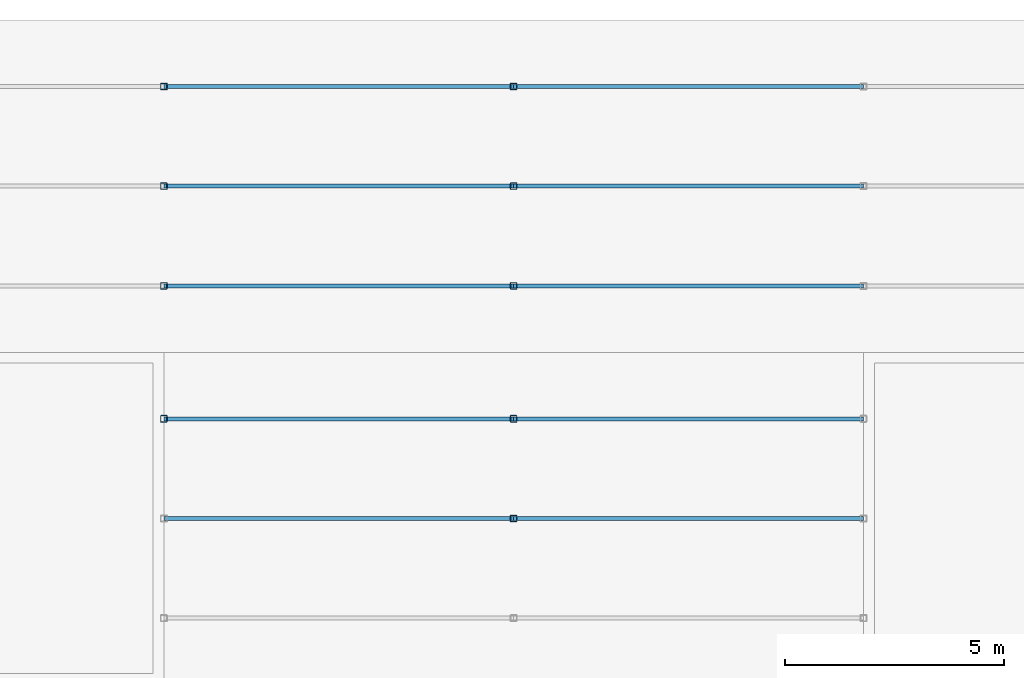
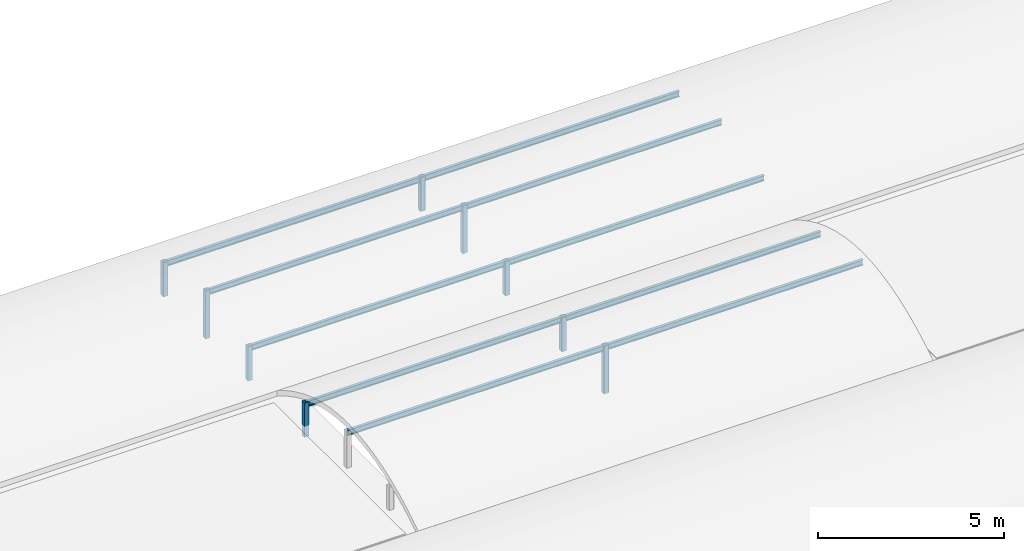
# One storey, part 4 of 8: 19 members.
"""IFC4 building model written with IfcOpenShell, lengths in metres."""

import ifcopenshell
import ifcopenshell.guid

model = None  # the IFC model being written
_history = None  # IfcOwnerHistory: only IFC2X3 demands one
_inside = {}  # id of a spatial element -> (the spatial element, [elements in it])
_under = {}  # id of a project, library or spatial element -> (it, [spatial elements below it])
_declared = {}  # id of a project -> (the project, [libraries it declares])
_typed = {}  # id of a type object -> (the type object, [elements of that type])
_made_of = {}  # id of a material, layer set ... -> (it, [elements and type objects made of it])


def new_model(schema):
    """Start an empty IFC model of exactly this schema.

    Asked for "IFC4X3", IfcOpenShell would pick the latest addendum, in which some entities
    have other attributes; the version numbers below select the first issue.
    IFC2X3 requires an IfcOwnerHistory on every rooted entity: one is made here for all.
    """
    global model, _history
    if schema == "IFC4X3":
        model = ifcopenshell.file(schema_version=(4, 3, 0, 0))
    else:
        model = ifcopenshell.file(schema=schema)
    _inside.clear()
    _under.clear()
    _declared.clear()
    _typed.clear()
    _made_of.clear()
    _history = None
    if model.schema == "IFC2X3":
        org = make("IfcOrganization", Name="unknown")
        user = make(
            "IfcPersonAndOrganization",
            ThePerson=make("IfcPerson", FamilyName="unknown"),
            TheOrganization=org,
        )
        app = make(
            "IfcApplication",
            ApplicationDeveloper=org,
            Version="unknown",
            ApplicationFullName="unknown",
            ApplicationIdentifier="unknown",
        )
        _history = make(
            "IfcOwnerHistory",
            OwningUser=user,
            OwningApplication=app,
            ChangeAction="ADDED",
            CreationDate=0,
        )
    return model


def make(cls, **values):
    """One entity of the class cls with the attributes given. An attribute that is None is left unset."""
    return model.create_entity(
        cls, **{name: value for name, value in values.items() if value is not None}
    )


def rooted(cls, **values):
    """An entity with a GlobalId (a new one), such as an element, a storey or a relation."""
    return make(cls, GlobalId=ifcopenshell.guid.new(), OwnerHistory=_history, **values)


def si_unit(unit_type, name, prefix=None):
    """IfcSIUnit, for example si_unit("LENGTHUNIT", "METRE", prefix="MILLI")."""
    return make("IfcSIUnit", UnitType=unit_type, Prefix=prefix, Name=name)


def assignment(units):
    """IfcUnitAssignment: the units of a project."""
    return None if units is None else make("IfcUnitAssignment", Units=units)


def point(xyz):
    """IfcCartesianPoint."""
    return None if xyz is None else make("IfcCartesianPoint", Coordinates=xyz)


def direction(xyz):
    """IfcDirection."""
    return None if xyz is None else make("IfcDirection", DirectionRatios=xyz)


def frame(location, z_axis=None, x_axis=None):
    """IfcAxis2Placement3D, a coordinate frame: its origin and axes. An axis left out is left unset."""
    return make(
        "IfcAxis2Placement3D",
        Location=point(location),
        Axis=direction(z_axis),
        RefDirection=direction(x_axis),
    )


def frame_2d(location, x_axis=None):
    """IfcAxis2Placement2D, a coordinate frame in the plane: its origin and x axis."""
    return make(
        "IfcAxis2Placement2D", Location=point(location), RefDirection=direction(x_axis)
    )


def origin():
    """The frame at (0, 0, 0) with its axes left unset."""
    return frame((0.0, 0.0, 0.0))


def origin_2d():
    """The frame at (0, 0) in the plane with its x axis left unset."""
    return frame_2d((0.0, 0.0))


def place(relative_to, where):
    """IfcLocalPlacement: puts the frame where relative to a parent placement (None: the world)."""
    return make(
        "IfcLocalPlacement", PlacementRelTo=relative_to, RelativePlacement=where
    )


def context(
    kind, dimensions, precision=None, world=None, true_north=None, identifier=None
):
    """IfcGeometricRepresentationContext, for example the 3D "Model" context."""
    return make(
        "IfcGeometricRepresentationContext",
        ContextIdentifier=identifier,
        ContextType=kind,
        CoordinateSpaceDimension=dimensions,
        Precision=precision,
        WorldCoordinateSystem=world,
        TrueNorth=true_north,
    )


def subcontext(parent, identifier, kind, view, scale=None):
    """IfcGeometricRepresentationSubContext, for example "Body" below "Model"."""
    return make(
        "IfcGeometricRepresentationSubContext",
        ContextIdentifier=identifier,
        ContextType=kind,
        ParentContext=parent,
        TargetScale=scale,
        TargetView=view,
    )


def project(units=None, contexts=None):
    """IfcProject with its units and contexts."""
    return rooted(
        "IfcProject",
        Name="project",
        RepresentationContexts=contexts,
        UnitsInContext=assignment(units),
    )


def spatial(cls, under=None, at=None, **own):
    """A site, building, storey or space (cls), placed at a placement, below another one or the project."""
    s = rooted(cls, ObjectPlacement=at, **own)
    if under is not None:
        _under.setdefault(under.id(), (under, []))[1].append(s)
    return s


def profile(cls, at=None, kind="AREA", **sizes):
    """A parametric profile (cls). Its sizes go by their IFC names, for example OverallWidth=200.0."""
    return make(cls, ProfileType=kind, Position=at, **sizes)


def hollow_rectangle(**sizes):
    """IfcRectangleHollowProfileDef."""
    return profile("IfcRectangleHollowProfileDef", **sizes)


def i_section(**sizes):
    """IfcIShapeProfileDef."""
    return profile("IfcIShapeProfileDef", **sizes)


def extrude(swept, where, along, depth):
    """IfcExtrudedAreaSolid: the profile swept, set in the frame where, extruded along a direction by depth."""
    return make(
        "IfcExtrudedAreaSolid",
        SweptArea=swept,
        Position=where,
        ExtrudedDirection=direction(along),
        Depth=depth,
    )


def shape(context_of_items, identifier, shape_type, items):
    """IfcShapeRepresentation: the items that make up one representation, for example the "Body"."""
    return make(
        "IfcShapeRepresentation",
        ContextOfItems=context_of_items,
        RepresentationIdentifier=identifier,
        RepresentationType=shape_type,
        Items=items,
    )


def material(Name=None, Category=None):
    """IfcMaterial."""
    return make("IfcMaterial", Name=Name, Category=Category)


def material_profile(
    of_material, cross_section, Name=None, Category=None, Priority=None
):
    """IfcMaterialProfile: a cross section and its material."""
    return make(
        "IfcMaterialProfile",
        Name=Name,
        Material=of_material,
        Profile=cross_section,
        Priority=Priority,
        Category=Category,
    )


def profile_set(profiles, Name=None, composite=None):
    """IfcMaterialProfileSet."""
    return make(
        "IfcMaterialProfileSet",
        Name=Name,
        MaterialProfiles=profiles,
        CompositeProfile=composite,
    )


def made_of(thing, what):
    """Note that an element or type object is made of a material, layer set ...; save() writes the relation."""
    if what is not None:
        _made_of.setdefault(what.id(), (what, []))[1].append(thing)
    return thing


def type_object(cls, material=None, **own):
    """A type object (cls), such as IfcWallType, which elements share."""
    return made_of(rooted(cls, **own), material)


def element(
    cls,
    number,
    at=None,
    inside=None,
    cuts=None,
    type_object=None,
    material=None,
    context=None,
    identifier="Body",
    shape_type=None,
    held_by="IfcProductDefinitionShape",
    body=None,
    shapes=None,
    **own,
):
    """One element of the class cls, such as IfcWall. Its Tag is "e" and its number.

    at: its placement. inside: the storey or other place that contains it. cuts: it is an
    opening in that element (IfcRelVoidsElement). A single representation is given by context,
    identifier, shape_type and body (its items); several are given by shapes. held_by: the class
    of the entity that holds the representations. save() writes the other relations.
    """
    e = rooted(cls, Tag="e%d" % number, ObjectPlacement=at, **own)
    if body is not None:
        shapes = [shape(context, identifier, shape_type, body)]
    if shapes is not None:
        e.Representation = make(held_by, Representations=shapes)
    if inside is not None:
        _inside.setdefault(inside.id(), (inside, []))[1].append(e)
    if cuts is not None:
        rooted(
            "IfcRelVoidsElement", RelatingBuildingElement=cuts, RelatedOpeningElement=e
        )
    if type_object is not None:
        _typed.setdefault(type_object.id(), (type_object, []))[1].append(e)
    return made_of(e, material)


def aggregate(whole, parts):
    """IfcRelAggregates: a whole, such as a stair, and the parts it consists of."""
    return rooted("IfcRelAggregates", RelatingObject=whole, RelatedObjects=parts)


def save(model, path):
    """Write the relations noted so far, then the file.

    IfcRelAggregates (storeys below a building ...), IfcRelContainedInSpatialStructure (elements
    in a storey), IfcRelDefinesByType, IfcRelAssociatesMaterial and IfcRelDeclares: one each for
    every whole, place, type object, material and project.
    """
    for whole, parts in _under.values():
        aggregate(whole, parts)
    for where, things in _inside.values():
        rooted(
            "IfcRelContainedInSpatialStructure",
            RelatedElements=things,
            RelatingStructure=where,
        )
    for kind, things in _typed.values():
        rooted("IfcRelDefinesByType", RelatedObjects=things, RelatingType=kind)
    for what, things in _made_of.values():
        rooted("IfcRelAssociatesMaterial", RelatedObjects=things, RelatingMaterial=what)
    for by, libraries in _declared.values():
        rooted("IfcRelDeclares", RelatingContext=by, RelatedDefinitions=libraries)
    model.write(path)


model = new_model("IFC4")

# Units and contexts
model_context = context("Model", 3, precision=1e-05, world=origin(), true_north=direction((0.0, 1.0)))
body_context = subcontext(model_context, "Body", "Model", "MODEL_VIEW")
ifc_project = project(units=[si_unit("LENGTHUNIT", "METRE"), si_unit("AREAUNIT", "SQUARE_METRE"), si_unit("VOLUMEUNIT", "CUBIC_METRE"), si_unit("PLANEANGLEUNIT", "RADIAN"), si_unit("MASSUNIT", "GRAM", prefix="KILO")], contexts=[model_context])

# Site, building, storey
site_placement = place(None, origin())
site = spatial("IfcSite", under=ifc_project, at=site_placement, CompositionType="ELEMENT")
building_placement = place(site_placement, origin())
building = spatial("IfcBuilding", under=site, at=building_placement, Name="Shalkamar Park Central Library", CompositionType="ELEMENT")
storey_placement = place(building_placement, frame((0.0, 0.0, 77.699951171875)))
storey = spatial("IfcBuildingStorey", under=building, at=storey_placement, Name="ROOF", CompositionType="ELEMENT", Elevation=77.699951171875)

# Members
ifc_material = material(Name="Steel S355", Category="steel")
ifc_material_profile_1 = material_profile(ifc_material, hollow_rectangle(XDim=0.14990234375, YDim=0.14990234375, WallThickness=0.008056640625, InnerFilletRadius=0.008056640625, OuterFilletRadius=0.011962890625, at=origin_2d()), Name="SHS 150x150x8")
ifc_profile_set_1 = profile_set([ifc_material_profile_1], Name="Steel S355")
member_type_1 = type_object("IfcMemberType", Name="Diagonal Brace SHS150", PredefinedType="BRACE", material=ifc_profile_set_1)
member_1_placement = place(storey_placement, frame((181.0, 268.8798828125, -0.35986328125), z_axis=(0.0, 0.0, 1.0), x_axis=(1.0, 0.0, 0.0)))
element("IfcMember", 1, at=member_1_placement, inside=storey, type_object=member_type_1, Name="Vault Arch Post BV-L18-2-09.3", PredefinedType="BRACE", context=body_context, shape_type="SweptSolid", body=[
    extrude(hollow_rectangle(XDim=0.14990234375, YDim=0.14990234375, WallThickness=0.008056640625, InnerFilletRadius=0.008056640625, OuterFilletRadius=0.011962890625, at=origin_2d()), origin(), (0.0, 0.0, 1.0), 1.119873046875),
])
member_2_placement = place(storey_placement, frame((189.0, 266.60009765625, -0.35986328125), z_axis=(0.0, 0.0, 1.0), x_axis=(1.0, 0.0, 0.0)))
element("IfcMember", 2, at=member_2_placement, inside=storey, type_object=member_type_1, Name="Vault Arch Post BV-L18-2-10.2", PredefinedType="BRACE", context=body_context, shape_type="SweptSolid", body=[
    extrude(hollow_rectangle(XDim=0.14990234375, YDim=0.14990234375, WallThickness=0.008056640625, InnerFilletRadius=0.008056640625, OuterFilletRadius=0.011962890625, at=origin_2d()), origin(), (0.0, 0.0, 1.0), 1.56982421875),
])
for number, where, z_axis, x_axis, name in (
    (3, (189.0, 268.8798828125, -0.35986328125), (0.0, 0.0, 1.0), (1.0, 0.0, 0.0), "Vault Arch Post BV-L18-2-10.3"),
    (4, (181.0, 271.919921875, -0.35986328125), (0.0, 0.0, 1.0), (1.0, 0.0, 0.0), "Vault Arch Post BV-L18-3-09.1"),
):
    element("IfcMember", number, at=place(storey_placement, frame(where, z_axis=z_axis, x_axis=x_axis)), inside=storey, type_object=member_type_1, Name=name, PredefinedType="BRACE", context=body_context, shape_type="SweptSolid", body=[
        extrude(hollow_rectangle(XDim=0.14990234375, YDim=0.14990234375, WallThickness=0.008056640625, InnerFilletRadius=0.008056640625, OuterFilletRadius=0.011962890625, at=origin_2d()), origin(), (0.0, 0.0, 1.0), 1.119873046875),
    ])
member_3_placement = place(storey_placement, frame((181.0, 274.199951171875, -0.35986328125), z_axis=(0.0, 0.0, 1.0), x_axis=(1.0, 0.0, 0.0)))
element("IfcMember", 5, at=member_3_placement, inside=storey, type_object=member_type_1, Name="Vault Arch Post BV-L18-3-09.2", PredefinedType="BRACE", context=body_context, shape_type="SweptSolid", body=[
    extrude(hollow_rectangle(XDim=0.14990234375, YDim=0.14990234375, WallThickness=0.008056640625, InnerFilletRadius=0.008056640625, OuterFilletRadius=0.011962890625, at=origin_2d()), origin(), (0.0, 0.0, 1.0), 1.56982421875),
])
for number, where, z_axis, x_axis, name in (
    (6, (181.0, 276.47998046875, -0.35986328125), (0.0, 0.0, 1.0), (1.0, 0.0, 0.0), "Vault Arch Post BV-L18-3-09.3"),
    (7, (189.0, 271.919921875, -0.35986328125), (0.0, 0.0, 1.0), (1.0, 0.0, 0.0), "Vault Arch Post BV-L18-3-10.1"),
):
    element("IfcMember", number, at=place(storey_placement, frame(where, z_axis=z_axis, x_axis=x_axis)), inside=storey, type_object=member_type_1, Name=name, PredefinedType="BRACE", context=body_context, shape_type="SweptSolid", body=[
        extrude(hollow_rectangle(XDim=0.14990234375, YDim=0.14990234375, WallThickness=0.008056640625, InnerFilletRadius=0.008056640625, OuterFilletRadius=0.011962890625, at=origin_2d()), origin(), (0.0, 0.0, 1.0), 1.119873046875),
    ])
member_4_placement = place(storey_placement, frame((189.0, 274.199951171875, -0.35986328125), z_axis=(0.0, 0.0, 1.0), x_axis=(1.0, 0.0, 0.0)))
element("IfcMember", 8, at=member_4_placement, inside=storey, type_object=member_type_1, Name="Vault Arch Post BV-L18-3-10.2", PredefinedType="BRACE", context=body_context, shape_type="SweptSolid", body=[
    extrude(hollow_rectangle(XDim=0.14990234375, YDim=0.14990234375, WallThickness=0.008056640625, InnerFilletRadius=0.008056640625, OuterFilletRadius=0.011962890625, at=origin_2d()), origin(), (0.0, 0.0, 1.0), 1.56982421875),
])
member_5_placement = place(storey_placement, frame((189.0, 276.47998046875, -0.35986328125), z_axis=(0.0, 0.0, 1.0), x_axis=(1.0, 0.0, 0.0)))
element("IfcMember", 9, at=member_5_placement, inside=storey, type_object=member_type_1, Name="Vault Arch Post BV-L18-3-10.3", PredefinedType="BRACE", context=body_context, shape_type="SweptSolid", body=[
    extrude(hollow_rectangle(XDim=0.14990234375, YDim=0.14990234375, WallThickness=0.008056640625, InnerFilletRadius=0.008056640625, OuterFilletRadius=0.011962890625, at=origin_2d()), origin(), (0.0, 0.0, 1.0), 1.119873046875),
])
ifc_material_profile_2 = material_profile(ifc_material, i_section(OverallWidth=0.091064453125, OverallDepth=0.179931640625, WebThickness=0.00537109375, FlangeThickness=0.008056640625, FilletRadius=0.009033203125, at=origin_2d()), Name="IPE 180")
ifc_profile_set_2 = profile_set([ifc_material_profile_2], Name="Steel S355")
member_type_2 = type_object("IfcMemberType", Name="Roof Purlin IPE180", PredefinedType="PURLIN", material=ifc_profile_set_2)
for number, where, z_axis, x_axis, name in (
    (10, (181.0, 266.60009765625, 1.1201171875), (1.0, 0.0, 0.0), (0.0, 1.0, 0.0), "Barrel Roof Purlin BV-L18-2-2.09"),
    (11, (189.0, 266.60009765625, 1.1201171875), (1.0, 0.0, 0.0), (0.0, 1.0, 0.0), "Barrel Roof Purlin BV-L18-2-2.10"),
    (12, (181.0, 268.8798828125, 0.670166015625), (1.0, 0.0, 0.0), (0.0, 1.0, 0.0), "Barrel Roof Purlin BV-L18-2-3.09"),
    (13, (189.0, 268.8798828125, 0.670166015625), (1.0, 0.0, 0.0), (0.0, 1.0, 0.0), "Barrel Roof Purlin BV-L18-2-3.10"),
    (14, (181.0, 271.919921875, 0.670166015625), (1.0, 0.0, 0.0), (0.0, 1.0, 0.0), "Barrel Roof Purlin BV-L18-3-1.09"),
    (15, (189.0, 271.919921875, 0.670166015625), (1.0, 0.0, 0.0), (0.0, 1.0, 0.0), "Barrel Roof Purlin BV-L18-3-1.10"),
    (16, (181.0, 274.199951171875, 1.1201171875), (1.0, 0.0, 0.0), (0.0, 1.0, 0.0), "Barrel Roof Purlin BV-L18-3-2.09"),
    (17, (189.0, 274.199951171875, 1.1201171875), (1.0, 0.0, 0.0), (0.0, 1.0, 0.0), "Barrel Roof Purlin BV-L18-3-2.10"),
    (18, (181.0, 276.47998046875, 0.670166015625), (1.0, 0.0, 0.0), (0.0, 1.0, 0.0), "Barrel Roof Purlin BV-L18-3-3.09"),
    (19, (189.0, 276.47998046875, 0.670166015625), (1.0, 0.0, 0.0), (0.0, 1.0, 0.0), "Barrel Roof Purlin BV-L18-3-3.10"),
):
    element("IfcMember", number, at=place(storey_placement, frame(where, z_axis=z_axis, x_axis=x_axis)), inside=storey, type_object=member_type_2, Name=name, PredefinedType="PURLIN", context=body_context, shape_type="SweptSolid", body=[
        extrude(i_section(OverallWidth=0.091064453125, OverallDepth=0.179931640625, WebThickness=0.00537109375, FlangeThickness=0.008056640625, FilletRadius=0.009033203125, at=origin_2d()), origin(), (0.0, 0.0, 1.0), 8.0),
    ])

save(model, "model.ifc")
